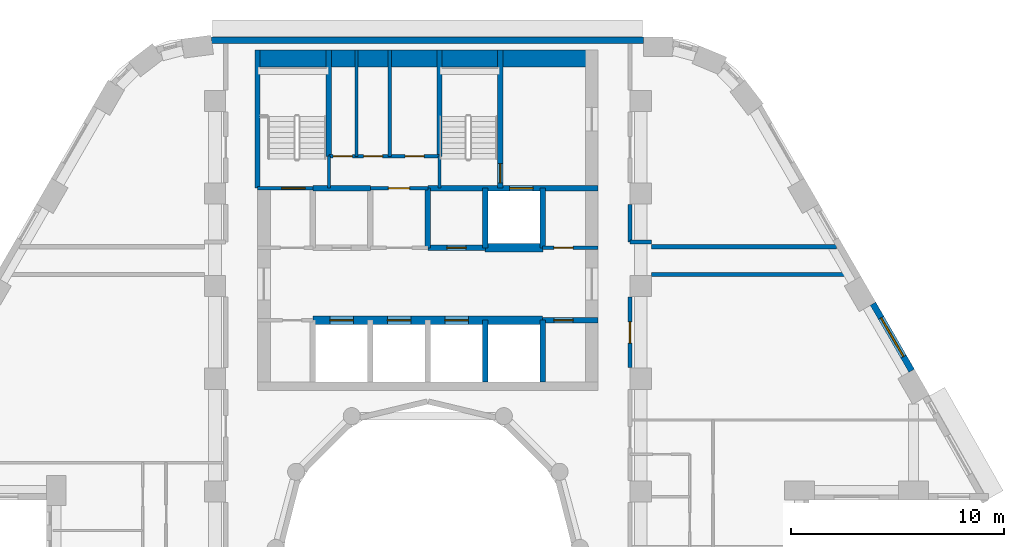
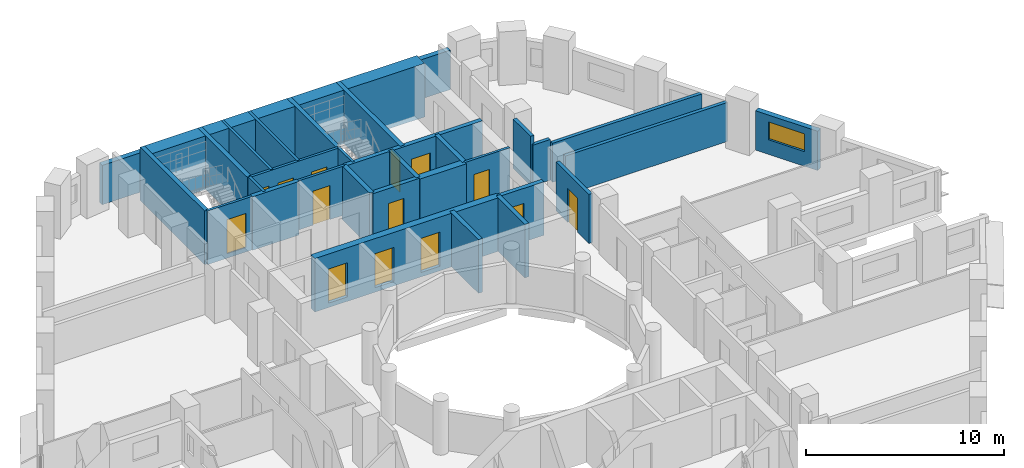
# One storey, part 8 of 12: 31 walls, 14 doors, 1 window, 15 openings.
"""IFC4 building model written with IfcOpenShell, lengths in metres."""

from ifc_helpers import new_model, si_unit, direction, frame, frame_2d, origin, place, context, subcontext, project, spatial, rectangle, extrude, material, layer, layer_set, type_object, element, fill, save


model = new_model("IFC4")

# Units and contexts
model_context = context("Model", 3, precision=1e-05, world=origin(), true_north=direction((0.0, 1.0)))
body_context = subcontext(model_context, "Body", "Model", "MODEL_VIEW")
ifc_project = project(units=[si_unit("LENGTHUNIT", "METRE"), si_unit("AREAUNIT", "SQUARE_METRE"), si_unit("VOLUMEUNIT", "CUBIC_METRE"), si_unit("PLANEANGLEUNIT", "RADIAN"), si_unit("MASSUNIT", "GRAM", prefix="KILO")], contexts=[model_context])

# Site, building, storey
site_placement = place(None, origin())
site = spatial("IfcSite", under=ifc_project, at=site_placement, CompositionType="ELEMENT")
building_placement = place(site_placement, origin())
building = spatial("IfcBuilding", under=site, at=building_placement, Name="Nakaniwa Court", CompositionType="ELEMENT")
storey_placement = place(building_placement, frame((0.0, 0.0, 87.60009765625)))
storey = spatial("IfcBuildingStorey", under=building, at=storey_placement, Name="L22", CompositionType="ELEMENT", Elevation=87.60009765625)

# Wall, opening, door
ifc_material_1 = material(Name="Acoustic double stud partition")
ifc_layer_1 = layer(ifc_material_1, 0.199951171875)
ifc_layer_set_1 = layer_set([ifc_layer_1], Name="Acoustic double stud partition")
wall_type_1 = type_object("IfcWallType", Name="Acoustic double stud partition 200", PredefinedType="PARTITIONING", material=ifc_layer_set_1)
wall_1_placement = place(storey_placement, frame((89.5, 91.782958984375, 0.0), z_axis=(0.0, 0.0, 1.0), x_axis=(0.0, -1.0, 0.0)))
wall_1 = element("IfcWall", 1, at=wall_1_placement, inside=storey, type_object=wall_type_1, Name="Partition PW-077", PredefinedType="PARTITIONING", context=body_context, shape_type="SweptSolid", body=[
    extrude(rectangle(XDim=3.31591796875, YDim=0.199951171875, at=frame_2d((1.657958984375, 0.0))), origin(), (0.0, 0.0, 1.0), 3.02490234375),
])
opening_1_placement = place(wall_1_placement, frame((1.157958984375, 0.0, 0.0)))
opening_1 = element("IfcOpeningElement", 2, at=opening_1_placement, cuts=wall_1, Name="Opening D-02-03", PredefinedType="OPENING", context=body_context, shape_type="SweptSolid", body=[
    extrude(rectangle(XDim=1.0, YDim=2.10009765625, at=frame_2d((0.5, 1.050048828125))), frame((0.0, 0.10986328125, 0.0), z_axis=(0.0, -1.0, 0.0), x_axis=(1.0, 0.0, 0.0)), (0.0, 0.0, 1.0), 0.219970703125),
])
ifc_material_2 = material(Name="Solid core timber door set, black veneer", Category="wood")
door_type_1 = type_object("IfcDoorType", Name="Internal door 1000", OperationType="NOTDEFINED", PredefinedType="DOOR", material=ifc_material_2)
door_1_placement = place(opening_1_placement, origin())
door_1 = element("IfcDoor", 3, at=door_1_placement, inside=storey, type_object=door_type_1, Name="Door D-02-03 L22-037", OperationType="SINGLE_SWING_RIGHT", OverallHeight=2.10009765625, OverallWidth=1.0, PredefinedType="DOOR", context=body_context, shape_type="SweptSolid", body=[
    extrude(rectangle(XDim=1.0, YDim=2.10009765625, at=frame_2d((0.5, 1.050048828125))), frame((0.0, 0.02490234375, 0.0), z_axis=(0.0, -1.0, 0.0), x_axis=(1.0, 0.0, 0.0)), (0.0, 0.0, 1.0), 0.050048828125),
])
fill(opening_1, door_1)

# Walls
wall_2_placement = place(storey_placement, frame((89.5, 94.3720703125, 0.0), z_axis=(0.0, 0.0, 1.0), x_axis=(0.0, 1.0, 0.0)))
element("IfcWall", 4, at=wall_2_placement, inside=storey, type_object=wall_type_1, Name="Partition PW-078", PredefinedType="PARTITIONING", context=body_context, shape_type="SweptSolid", body=[
    extrude(rectangle(XDim=1.760986328125, YDim=0.199951171875, at=frame_2d((0.88037109375, 0.0))), origin(), (0.0, 0.0, 1.0), 3.02490234375),
])
wall_3_placement = place(storey_placement, frame((90.5, 92.85009765625, 0.0), z_axis=(0.0, 0.0, 1.0), x_axis=(1.0, 0.0, 0.0)))
element("IfcWall", 5, at=wall_3_placement, inside=storey, type_object=wall_type_1, Name="Partition PW-082", PredefinedType="PARTITIONING", context=body_context, shape_type="SweptSolid", body=[
    extrude(rectangle(XDim=9.447509765625, YDim=0.199951171875, at=frame_2d((4.7236328125, 0.0))), origin(), (0.0, 0.0, 1.0), 2.40478515625),
])
wall_4_placement = place(storey_placement, frame((89.5, 94.375, 0.0), z_axis=(0.0, 0.0, 1.0), x_axis=(1.0, 0.0, 0.0)))
element("IfcWall", 6, at=wall_4_placement, inside=storey, type_object=wall_type_1, Name="Partition PW-084", PredefinedType="PARTITIONING", context=body_context, shape_type="SweptSolid", body=[
    extrude(rectangle(XDim=1.0, YDim=0.199951171875, at=frame_2d((0.5, 0.0))), origin(), (0.0, 0.0, 1.0), 2.5048828125),
])
wall_5_placement = place(storey_placement, frame((90.5, 94.14990234375, 0.0), z_axis=(0.0, 0.0, 1.0), x_axis=(1.0, 0.0, 0.0)))
element("IfcWall", 7, at=wall_5_placement, inside=storey, type_object=wall_type_1, Name="Partition PW-086", PredefinedType="PARTITIONING", context=body_context, shape_type="SweptSolid", body=[
    extrude(rectangle(XDim=8.697021484375, YDim=0.199951171875, at=frame_2d((4.3486328125, 0.0))), origin(), (0.0, 0.0, 1.0), 2.40478515625),
])

# Wall, opening, window
ifc_material_3 = material(Name="Charcoal ceramic cladding")
ifc_layer_2 = layer(ifc_material_3, 0.02, Name="Ceramic cladding")
ifc_material_4 = material(Name="Ventilated air cavity")
ifc_layer_3 = layer(ifc_material_4, 0.04, ventilated=True, Name="Ventilated cavity")
ifc_material_5 = material(Name="Mineral wool insulation")
ifc_layer_4 = layer(ifc_material_5, 0.1, Name="Insulation")
ifc_material_6 = material(Name="Cement bonded sheathing board")
ifc_layer_5 = layer(ifc_material_6, 0.012, Name="Sheathing")
ifc_material_7 = material(Name="Cold-formed galvanised stud frame with mineral wool infill")
ifc_layer_6 = layer(ifc_material_7, 0.1, Name="Stud frame")
ifc_material_8 = material(Name="Fire-rated gypsum plasterboard lining")
ifc_layer_7 = layer(ifc_material_8, 0.028, Name="Lining")
ifc_layer_set_2 = layer_set([ifc_layer_2, ifc_layer_3, ifc_layer_4, ifc_layer_5, ifc_layer_6, ifc_layer_7], Name="Charcoal ceramic faced external wall system")
wall_type_2 = type_object("IfcWallType", Name="Black ceramic faced external wall 300", PredefinedType="SOLIDWALL", material=ifc_layer_set_2)
wall_6_placement = place(storey_placement, frame((102.734619140625, 88.322509765625, 0.0), z_axis=(0.0, 0.0, 1.0), x_axis=(-0.500009139881, 0.866020126807, 0.0)))
wall_6 = element("IfcWall", 8, at=wall_6_placement, inside=storey, type_object=wall_type_2, Name="L22 external wall 03", PredefinedType="SOLIDWALL", context=body_context, shape_type="SweptSolid", body=[
    extrude(rectangle(XDim=3.63671875, YDim=0.300048828125, at=frame_2d((1.818359375, 0.0))), origin(), (0.0, 0.0, 1.0), 2.4248046875),
])
opening_2_placement = place(wall_6_placement, frame((0.768310546875, 0.0, 0.89990234375)))
opening_2 = element("IfcOpeningElement", 9, at=opening_2_placement, cuts=wall_6, Name="Opening W7.05", PredefinedType="OPENING", context=body_context, shape_type="SweptSolid", body=[
    extrude(rectangle(XDim=2.10009765625, YDim=1.10009765625, at=frame_2d((1.050048828125, 0.550048828125))), frame((0.0, 0.159912109375, 0.0), z_axis=(0.0, -1.0, 0.0), x_axis=(1.0, 0.0, 0.0)), (0.0, 0.0, 1.0), 0.320068359375),
])
ifc_material_9 = material(Name="Black anodised aluminium frame with dark low-E laminated double glazing", Category="aluminium")
window_type = type_object("IfcWindowType", Name="Dark glass window 2100x1100 sill 900", PartitioningType="SINGLE_PANEL", PredefinedType="WINDOW", material=ifc_material_9)
window_placement = place(opening_2_placement, origin())
window = element("IfcWindow", 10, at=window_placement, inside=storey, type_object=window_type, Name="L22 habitable room window 03-0", OverallHeight=1.10009765625, OverallWidth=2.10009765625, PartitioningType="SINGLE_PANEL", PredefinedType="WINDOW", context=body_context, shape_type="SweptSolid", body=[
    extrude(rectangle(XDim=2.10009765625, YDim=1.10009765625, at=frame_2d((1.050048828125, 0.550048828125))), frame((0.0, 0.030029296875, 0.0), z_axis=(0.0, -1.0, 0.0), x_axis=(1.0, 0.0, 0.0)), (0.0, 0.0, 1.0), 0.06005859375),
])
fill(opening_2, window)

# Wall
wall_7_placement = place(storey_placement, frame((90.128662109375, 103.85009765625, 0.0), z_axis=(0.0, 0.0, 1.0), x_axis=(-1.0, 0.0, 0.0)))
element("IfcWall", 11, at=wall_7_placement, inside=storey, type_object=wall_type_2, Name="L22 external wall 08", PredefinedType="SOLIDWALL", context=body_context, shape_type="SweptSolid", body=[
    extrude(rectangle(XDim=20.290771484375, YDim=0.300048828125, at=frame_2d((10.1455078125, 0.0))), origin(), (0.0, 0.0, 1.0), 2.4248046875),
])

# Wall, opening, door
ifc_material_10 = material(Name="Blockwork partition", Category="masonry")
ifc_layer_8 = layer(ifc_material_10, 0.14990234375)
ifc_layer_set_3 = layer_set([ifc_layer_8], Name="Blockwork partition")
wall_type_3 = type_object("IfcWallType", Name="Blockwork partition 150", PredefinedType="PARTITIONING", material=ifc_layer_set_3)
wall_8_placement = place(storey_placement, frame((85.39697265625, 94.10009765625, 0.0), z_axis=(0.0, 0.0, 1.0), x_axis=(1.0, 0.0, 0.0)))
wall_8 = element("IfcWall", 12, at=wall_8_placement, inside=storey, type_object=wall_type_3, Name="Partition PW-018", PredefinedType="PARTITIONING", context=body_context, shape_type="SweptSolid", body=[
    extrude(rectangle(XDim=2.60302734375, YDim=0.14990234375, at=frame_2d((1.301513671875, 0.0))), origin(), (0.0, 0.0, 1.0), 3.02490234375),
])
opening_3_placement = place(wall_8_placement, frame((0.528076171875, 0.0, 0.0)))
opening_3 = element("IfcOpeningElement", 13, at=opening_3_placement, cuts=wall_8, Name="Opening D-05-05", PredefinedType="OPENING", context=body_context, shape_type="SweptSolid", body=[
    extrude(rectangle(XDim=0.89990234375, YDim=2.10009765625, at=frame_2d((0.449951171875, 1.050048828125))), frame((0.0, 0.0849609375, 0.0), z_axis=(0.0, -1.0, 0.0), x_axis=(1.0, 0.0, 0.0)), (0.0, 0.0, 1.0), 0.169921875),
])
ifc_material_11 = material(Name="Fire rated steel door set", Category="steel")
door_type_2 = type_object("IfcDoorType", Name="Service room door 900", OperationType="NOTDEFINED", PredefinedType="DOOR", material=ifc_material_11)
door_2_placement = place(opening_3_placement, origin())
door_2 = element("IfcDoor", 14, at=door_2_placement, inside=storey, type_object=door_type_2, Name="Door D-05-05 L22-007", OperationType="SINGLE_SWING_RIGHT", OverallHeight=2.10009765625, OverallWidth=0.89990234375, PredefinedType="DOOR", context=body_context, shape_type="SweptSolid", body=[
    extrude(rectangle(XDim=0.89990234375, YDim=2.10009765625, at=frame_2d((0.449951171875, 1.050048828125))), frame((0.0, 0.02490234375, 0.0), z_axis=(0.0, -1.0, 0.0), x_axis=(1.0, 0.0, 0.0)), (0.0, 0.0, 1.0), 0.050048828125),
])
fill(opening_3, door_2)

wall_9_placement = place(storey_placement, frame((77.300048828125, 96.89990234375, 0.0), z_axis=(0.0, 0.0, 1.0), x_axis=(1.0, 0.0, 0.0)))
wall_9 = element("IfcWall", 15, at=wall_9_placement, inside=storey, type_object=wall_type_3, Name="Partition PW-025", PredefinedType="PARTITIONING", context=body_context, shape_type="SweptSolid", body=[
    extrude(rectangle(XDim=2.699951171875, YDim=0.14990234375, at=frame_2d((1.35009765625, 0.0))), origin(), (0.0, 0.0, 1.0), 3.02490234375),
])
opening_4_placement = place(wall_9_placement, frame((0.85009765625, 0.0, 0.0)))
opening_4 = element("IfcOpeningElement", 16, at=opening_4_placement, cuts=wall_9, Name="Opening D-23-01", PredefinedType="OPENING", context=body_context, shape_type="SweptSolid", body=[
    extrude(rectangle(XDim=1.0, YDim=2.10009765625, at=frame_2d((0.5, 1.050048828125))), frame((0.0, 0.0849609375, 0.0), z_axis=(0.0, -1.0, 0.0), x_axis=(1.0, 0.0, 0.0)), (0.0, 0.0, 1.0), 0.169921875),
])
door_type_3 = type_object("IfcDoorType", Name="Service room door 1000", OperationType="NOTDEFINED", PredefinedType="DOOR", material=ifc_material_11)
door_3_placement = place(opening_4_placement, origin())
door_3 = element("IfcDoor", 17, at=door_3_placement, inside=storey, type_object=door_type_3, Name="Door D-23-01 L22-008", OperationType="SINGLE_SWING_LEFT", OverallHeight=2.10009765625, OverallWidth=1.0, PredefinedType="DOOR", context=body_context, shape_type="SweptSolid", body=[
    extrude(rectangle(XDim=1.0, YDim=2.10009765625, at=frame_2d((0.5, 1.050048828125))), frame((0.0, 0.02490234375, 0.0), z_axis=(0.0, -1.0, 0.0), x_axis=(1.0, 0.0, 0.0)), (0.0, 0.0, 1.0), 0.050048828125),
])
fill(opening_4, door_3)

# Wall, openings, doors
wall_10_placement = place(storey_placement, frame((75.35009765625, 98.39990234375, 0.0), z_axis=(0.0, 0.0, 1.0), x_axis=(1.0, 0.0, 0.0)))
wall_10 = element("IfcWall", 18, at=wall_10_placement, inside=storey, type_object=wall_type_3, Name="Partition PW-032", PredefinedType="PARTITIONING", context=body_context, shape_type="SweptSolid", body=[
    extrude(rectangle(XDim=5.199951171875, YDim=0.14990234375, at=frame_2d((2.60009765625, 0.0))), origin(), (0.0, 0.0, 1.0), 3.02490234375),
])
opening_5_placement = place(wall_10_placement, frame((0.199951171875, 0.0, 0.0)))
opening_5 = element("IfcOpeningElement", 19, at=opening_5_placement, cuts=wall_10, Name="Opening D-05-06", PredefinedType="OPENING", context=body_context, shape_type="SweptSolid", body=[
    extrude(rectangle(XDim=0.89990234375, YDim=2.10009765625, at=frame_2d((0.449951171875, 1.050048828125))), frame((0.0, 0.0849609375, 0.0), z_axis=(0.0, -1.0, 0.0), x_axis=(1.0, 0.0, 0.0)), (0.0, 0.0, 1.0), 0.169921875),
])
opening_6_placement = place(wall_10_placement, frame((1.6298828125, 0.0, 0.0)))
opening_6 = element("IfcOpeningElement", 20, at=opening_6_placement, cuts=wall_10, Name="Opening D-05-07", PredefinedType="OPENING", context=body_context, shape_type="SweptSolid", body=[
    extrude(rectangle(XDim=0.89990234375, YDim=2.10009765625, at=frame_2d((0.449951171875, 1.050048828125))), frame((0.0, 0.0849609375, 0.0), z_axis=(0.0, -1.0, 0.0), x_axis=(1.0, 0.0, 0.0)), (0.0, 0.0, 1.0), 0.169921875),
])
opening_7_placement = place(wall_10_placement, frame((3.580078125, 0.0, 0.0)))
opening_7 = element("IfcOpeningElement", 21, at=opening_7_placement, cuts=wall_10, Name="Opening D-05-08", PredefinedType="OPENING", context=body_context, shape_type="SweptSolid", body=[
    extrude(rectangle(XDim=0.89990234375, YDim=2.10009765625, at=frame_2d((0.449951171875, 1.050048828125))), frame((0.0, 0.0849609375, 0.0), z_axis=(0.0, -1.0, 0.0), x_axis=(1.0, 0.0, 0.0)), (0.0, 0.0, 1.0), 0.169921875),
])
door_4_placement = place(opening_5_placement, origin())
door_4 = element("IfcDoor", 22, at=door_4_placement, inside=storey, type_object=door_type_2, Name="Door D-05-06 L22-009", OperationType="SINGLE_SWING_RIGHT", OverallHeight=2.10009765625, OverallWidth=0.89990234375, PredefinedType="DOOR", context=body_context, shape_type="SweptSolid", body=[
    extrude(rectangle(XDim=0.89990234375, YDim=2.10009765625, at=frame_2d((0.449951171875, 1.050048828125))), frame((0.0, 0.02490234375, 0.0), z_axis=(0.0, -1.0, 0.0), x_axis=(1.0, 0.0, 0.0)), (0.0, 0.0, 1.0), 0.050048828125),
])
fill(opening_5, door_4)
door_5_placement = place(opening_6_placement, origin())
door_5 = element("IfcDoor", 23, at=door_5_placement, inside=storey, type_object=door_type_2, Name="Door D-05-07 L22-010", OperationType="SINGLE_SWING_LEFT", OverallHeight=2.10009765625, OverallWidth=0.89990234375, PredefinedType="DOOR", context=body_context, shape_type="SweptSolid", body=[
    extrude(rectangle(XDim=0.89990234375, YDim=2.10009765625, at=frame_2d((0.449951171875, 1.050048828125))), frame((0.0, 0.02490234375, 0.0), z_axis=(0.0, -1.0, 0.0), x_axis=(1.0, 0.0, 0.0)), (0.0, 0.0, 1.0), 0.050048828125),
])
fill(opening_6, door_5)
door_6_placement = place(opening_7_placement, origin())
door_6 = element("IfcDoor", 24, at=door_6_placement, inside=storey, type_object=door_type_2, Name="Door D-05-08 L22-011", OperationType="SINGLE_SWING_RIGHT", OverallHeight=2.10009765625, OverallWidth=0.89990234375, PredefinedType="DOOR", context=body_context, shape_type="SweptSolid", body=[
    extrude(rectangle(XDim=0.89990234375, YDim=2.10009765625, at=frame_2d((0.449951171875, 1.050048828125))), frame((0.0, 0.02490234375, 0.0), z_axis=(0.0, -1.0, 0.0), x_axis=(1.0, 0.0, 0.0)), (0.0, 0.0, 1.0), 0.050048828125),
])
fill(opening_7, door_6)

# Walls
for number, where, z_axis, x_axis, name in (
    (25, (76.64990234375, 98.39990234375, 0.0), (0.0, 0.0, 1.0), (0.0, 1.0, 0.0), "Partition PW-033"),
    (26, (78.2099609375, 98.39990234375, 0.0), (0.0, 0.0, 1.0), (0.0, 1.0, 0.0), "Partition PW-034"),
):
    element("IfcWall", number, at=place(storey_placement, frame(where, z_axis=z_axis, x_axis=x_axis)), inside=storey, type_object=wall_type_3, Name=name, PredefinedType="PARTITIONING", context=body_context, shape_type="SweptSolid", body=[
        extrude(rectangle(XDim=5.0, YDim=0.14990234375, at=frame_2d((2.5, 0.0))), origin(), (0.0, 0.0, 1.0), 3.02490234375),
    ])

# Wall, openings, doors
ifc_material_12 = material(Name="Concrete C80/100", Category="concrete")
ifc_layer_9 = layer(ifc_material_12, 0.39990234375)
ifc_layer_set_4 = layer_set([ifc_layer_9], Name="Concrete C80/100")
wall_type_4 = type_object("IfcWallType", Name="Concrete core spine wall 400 C80", PredefinedType="SHEAR", material=ifc_layer_set_4)
wall_11_placement = place(storey_placement, frame((74.60009765625, 90.699951171875, -0.275146484375), z_axis=(0.0, 0.0, 1.0), x_axis=(1.0, 0.0, 0.0)))
wall_11 = element("IfcWall", 27, at=wall_11_placement, inside=storey, type_object=wall_type_4, Name="Core wall SW-07", PredefinedType="SHEAR", context=body_context, shape_type="SweptSolid", body=[
    extrude(rectangle(XDim=10.7998046875, YDim=0.39990234375, at=frame_2d((5.39990234375, 0.0))), origin(), (0.0, 0.0, 1.0), 3.300048828125),
])
opening_8_placement = place(wall_11_placement, frame((0.800048828125, 0.0, 0.27490234375)))
opening_8 = element("IfcOpeningElement", 28, at=opening_8_placement, cuts=wall_11, Name="Opening LD01", PredefinedType="OPENING", context=body_context, shape_type="SweptSolid", body=[
    extrude(rectangle(XDim=1.10009765625, YDim=2.10009765625, at=frame_2d((0.550048828125, 1.050048828125))), frame((0.0, 0.2099609375, 0.0), z_axis=(0.0, -1.0, 0.0), x_axis=(1.0, 0.0, 0.0)), (0.0, 0.0, 1.0), 0.419921875),
])
opening_9_placement = place(wall_11_placement, frame((3.5, 0.0, 0.27490234375)))
opening_9 = element("IfcOpeningElement", 29, at=opening_9_placement, cuts=wall_11, Name="Opening LD02", PredefinedType="OPENING", context=body_context, shape_type="SweptSolid", body=[
    extrude(rectangle(XDim=1.10009765625, YDim=2.10009765625, at=frame_2d((0.550048828125, 1.050048828125))), frame((0.0, 0.2099609375, 0.0), z_axis=(0.0, -1.0, 0.0), x_axis=(1.0, 0.0, 0.0)), (0.0, 0.0, 1.0), 0.419921875),
])
opening_10_placement = place(wall_11_placement, frame((6.199951171875, 0.0, 0.27490234375)))
opening_10 = element("IfcOpeningElement", 30, at=opening_10_placement, cuts=wall_11, Name="Opening LD03", PredefinedType="OPENING", context=body_context, shape_type="SweptSolid", body=[
    extrude(rectangle(XDim=1.10009765625, YDim=2.10009765625, at=frame_2d((0.550048828125, 1.050048828125))), frame((0.0, 0.2099609375, 0.0), z_axis=(0.0, -1.0, 0.0), x_axis=(1.0, 0.0, 0.0)), (0.0, 0.0, 1.0), 0.419921875),
])
ifc_material_13 = material(Name="Stainless steel sliding lift landing door", Category="steel")
door_type_4 = type_object("IfcDoorType", Name="Lift landing door 1100", OperationType="NOTDEFINED", PredefinedType="DOOR", material=ifc_material_13)
door_7_placement = place(opening_8_placement, origin())
door_7 = element("IfcDoor", 31, at=door_7_placement, inside=storey, type_object=door_type_4, Name="Lift landing door LD01 L22-001", OperationType="SLIDING_TO_LEFT", OverallHeight=2.10009765625, OverallWidth=1.10009765625, PredefinedType="DOOR", context=body_context, shape_type="SweptSolid", body=[
    extrude(rectangle(XDim=1.10009765625, YDim=2.10009765625, at=frame_2d((0.550048828125, 1.050048828125))), frame((0.0, 0.02490234375, 0.0), z_axis=(0.0, -1.0, 0.0), x_axis=(1.0, 0.0, 0.0)), (0.0, 0.0, 1.0), 0.050048828125),
])
fill(opening_8, door_7)
door_8_placement = place(opening_9_placement, origin())
door_8 = element("IfcDoor", 32, at=door_8_placement, inside=storey, type_object=door_type_4, Name="Lift landing door LD02 L22-002", OperationType="SLIDING_TO_LEFT", OverallHeight=2.10009765625, OverallWidth=1.10009765625, PredefinedType="DOOR", context=body_context, shape_type="SweptSolid", body=[
    extrude(rectangle(XDim=1.10009765625, YDim=2.10009765625, at=frame_2d((0.550048828125, 1.050048828125))), frame((0.0, 0.02490234375, 0.0), z_axis=(0.0, -1.0, 0.0), x_axis=(1.0, 0.0, 0.0)), (0.0, 0.0, 1.0), 0.050048828125),
])
fill(opening_9, door_8)
door_9_placement = place(opening_10_placement, origin())
door_9 = element("IfcDoor", 33, at=door_9_placement, inside=storey, type_object=door_type_4, Name="Lift landing door LD03 L22-003", OperationType="SLIDING_TO_LEFT", OverallHeight=2.10009765625, OverallWidth=1.10009765625, PredefinedType="DOOR", context=body_context, shape_type="SweptSolid", body=[
    extrude(rectangle(XDim=1.10009765625, YDim=2.10009765625, at=frame_2d((0.550048828125, 1.050048828125))), frame((0.0, 0.02490234375, 0.0), z_axis=(0.0, -1.0, 0.0), x_axis=(1.0, 0.0, 0.0)), (0.0, 0.0, 1.0), 0.050048828125),
])
fill(opening_10, door_9)

# Wall
wall_12_placement = place(storey_placement, frame((82.697021484375, 94.10009765625, -0.275146484375), z_axis=(0.0, 0.0, 1.0), x_axis=(1.0, 0.0, 0.0)))
element("IfcWall", 34, at=wall_12_placement, inside=storey, type_object=wall_type_4, Name="Core wall SW-21", PredefinedType="SHEAR", context=body_context, shape_type="SweptSolid", body=[
    extrude(rectangle(XDim=2.7060546875, YDim=0.39990234375, at=frame_2d((1.35302734375, 0.0))), origin(), (0.0, 0.0, 1.0), 3.300048828125),
])

# Wall, opening, door
ifc_layer_10 = layer(ifc_material_12, 0.14990234375)
ifc_layer_set_5 = layer_set([ifc_layer_10], Name="Concrete C80/100")
wall_type_5 = type_object("IfcWallType", Name="Concrete core wall 150 C80", PredefinedType="SHEAR", material=ifc_layer_set_5)
wall_13_placement = place(storey_placement, frame((74.60009765625, 96.89990234375, -0.275146484375), z_axis=(0.0, 0.0, 1.0), x_axis=(-1.0, 0.0, 0.0)))
wall_13 = element("IfcWall", 35, at=wall_13_placement, inside=storey, type_object=wall_type_5, Name="Core wall SW-22", PredefinedType="SHEAR", context=body_context, shape_type="SweptSolid", body=[
    extrude(rectangle(XDim=2.60009765625, YDim=0.14990234375, at=frame_2d((1.300048828125, 0.0))), origin(), (0.0, 0.0, 1.0), 3.300048828125),
])
opening_11_placement = place(wall_13_placement, frame((0.3701171875, 0.0, 0.27490234375)))
opening_11 = element("IfcOpeningElement", 36, at=opening_11_placement, cuts=wall_13, Name="Opening D-09-01", PredefinedType="OPENING", context=body_context, shape_type="SweptSolid", body=[
    extrude(rectangle(XDim=1.10009765625, YDim=2.10009765625, at=frame_2d((0.550048828125, 1.050048828125))), frame((0.0, 0.0849609375, 0.0), z_axis=(0.0, -1.0, 0.0), x_axis=(1.0, 0.0, 0.0)), (0.0, 0.0, 1.0), 0.169921875),
])
door_type_5 = type_object("IfcDoorType", Name="Stair door 1100", OperationType="NOTDEFINED", PredefinedType="DOOR", material=ifc_material_11)
door_10_placement = place(opening_11_placement, origin())
door_10 = element("IfcDoor", 37, at=door_10_placement, inside=storey, type_object=door_type_5, Name="Door D-09-01 L22-012", OperationType="SINGLE_SWING_RIGHT", OverallHeight=2.10009765625, OverallWidth=1.10009765625, PredefinedType="DOOR", context=body_context, shape_type="SweptSolid", body=[
    extrude(rectangle(XDim=1.10009765625, YDim=2.10009765625, at=frame_2d((0.550048828125, 1.050048828125))), frame((0.0, 0.02490234375, 0.0), z_axis=(0.0, -1.0, 0.0), x_axis=(1.0, 0.0, 0.0)), (0.0, 0.0, 1.0), 0.050048828125),
])
fill(opening_11, door_10)

# Walls
for number, where, z_axis, x_axis, name in (
    (38, (75.35009765625, 96.89990234375, -0.275146484375), (0.0, 0.0, 1.0), (0.0, 1.0, 0.0), "Core wall SW-26"),
    (39, (80.550048828125, 96.89990234375, -0.275146484375), (0.0, 0.0, 1.0), (0.0, 1.0, 0.0), "Core wall SW-30"),
):
    element("IfcWall", number, at=place(storey_placement, frame(where, z_axis=z_axis, x_axis=x_axis)), inside=storey, type_object=wall_type_5, Name=name, PredefinedType="SHEAR", context=body_context, shape_type="SweptSolid", body=[
        extrude(rectangle(XDim=1.503173828125, YDim=0.14990234375, at=frame_2d((0.75146484375, 0.0))), origin(), (0.0, 0.0, 1.0), 3.300048828125),
    ])
ifc_layer_11 = layer(ifc_material_12, 0.25)
ifc_layer_set_6 = layer_set([ifc_layer_11], Name="Concrete C80/100")
wall_type_6 = type_object("IfcWallType", Name="Concrete core wall 250 C80", PredefinedType="SHEAR", material=ifc_layer_set_6)
wall_14_placement = place(storey_placement, frame((72.0, 96.89990234375, -0.275146484375), z_axis=(0.0, 0.0, 1.0), x_axis=(0.0, 1.0, 0.0)))
element("IfcWall", 40, at=wall_14_placement, inside=storey, type_object=wall_type_6, Name="Core wall SW-28", PredefinedType="SHEAR", context=body_context, shape_type="SweptSolid", body=[
    extrude(rectangle(XDim=6.5, YDim=0.25, at=frame_2d((3.25, 0.0))), origin(), (0.0, 0.0, 1.0), 3.300048828125),
])
ifc_layer_12 = layer(ifc_material_12, 0.800048828125)
ifc_layer_set_7 = layer_set([ifc_layer_12], Name="Concrete C80/100")
wall_type_7 = type_object("IfcWallType", Name="Concrete core wall 800 C80", PredefinedType="SHEAR", material=ifc_layer_set_7)
wall_15_placement = place(storey_placement, frame((72.00390625, 103.0, -0.275146484375), z_axis=(0.0, 0.0, 1.0), x_axis=(1.0, 0.0, 0.0)))
element("IfcWall", 41, at=wall_15_placement, inside=storey, type_object=wall_type_7, Name="Core wall SW-127", PredefinedType="SHEAR", context=body_context, shape_type="SweptSolid", body=[
    extrude(rectangle(XDim=15.9921875, YDim=0.800048828125, at=frame_2d((7.99609375, 0.0))), origin(), (0.0, 0.0, 1.0), 3.300048828125),
])
ifc_layer_13 = layer(ifc_material_12, 0.25)
ifc_layer_set_8 = layer_set([ifc_layer_13], Name="Concrete C80/100")
wall_type_8 = type_object("IfcWallType", Name="Concrete shaft wall 250 C80", PredefinedType="SHEAR", material=ifc_layer_set_8)
wall_16_placement = place(storey_placement, frame((80.0, 94.10009765625, -0.275146484375), z_axis=(0.0, 0.0, 1.0), x_axis=(0.0, 1.0, 0.0)))
element("IfcWall", 42, at=wall_16_placement, inside=storey, type_object=wall_type_8, Name="Core wall SW-09", PredefinedType="SHEAR", context=body_context, shape_type="SweptSolid", body=[
    extrude(rectangle(XDim=2.7998046875, YDim=0.25, at=frame_2d((1.39990234375, 0.0))), origin(), (0.0, 0.0, 1.0), 3.300048828125),
])
wall_17_placement = place(storey_placement, frame((82.699951171875, 87.800048828125, -0.275146484375), z_axis=(0.0, 0.0, 1.0), x_axis=(0.0, 1.0, 0.0)))
element("IfcWall", 43, at=wall_17_placement, inside=storey, type_object=wall_type_8, Name="Core wall SW-10", PredefinedType="SHEAR", context=body_context, shape_type="SweptSolid", body=[
    extrude(rectangle(XDim=2.89990234375, YDim=0.25, at=frame_2d((1.449951171875, 0.0))), origin(), (0.0, 0.0, 1.0), 3.300048828125),
])
wall_18_placement = place(storey_placement, frame((82.699951171875, 94.10009765625, -0.275146484375), z_axis=(0.0, 0.0, 1.0), x_axis=(0.0, 1.0, 0.0)))
element("IfcWall", 44, at=wall_18_placement, inside=storey, type_object=wall_type_8, Name="Core wall SW-11", PredefinedType="SHEAR", context=body_context, shape_type="SweptSolid", body=[
    extrude(rectangle(XDim=2.7998046875, YDim=0.25, at=frame_2d((1.39990234375, 0.0))), origin(), (0.0, 0.0, 1.0), 3.300048828125),
])
wall_19_placement = place(storey_placement, frame((85.39990234375, 87.800048828125, -0.275146484375), z_axis=(0.0, 0.0, 1.0), x_axis=(0.0, 1.0, 0.0)))
element("IfcWall", 45, at=wall_19_placement, inside=storey, type_object=wall_type_8, Name="Core wall SW-12", PredefinedType="SHEAR", context=body_context, shape_type="SweptSolid", body=[
    extrude(rectangle(XDim=2.89990234375, YDim=0.25, at=frame_2d((1.449951171875, 0.0))), origin(), (0.0, 0.0, 1.0), 3.300048828125),
])
wall_20_placement = place(storey_placement, frame((85.39990234375, 94.10009765625, -0.275146484375), z_axis=(0.0, 0.0, 1.0), x_axis=(0.0, 1.0, 0.0)))
element("IfcWall", 46, at=wall_20_placement, inside=storey, type_object=wall_type_8, Name="Core wall SW-13", PredefinedType="SHEAR", context=body_context, shape_type="SweptSolid", body=[
    extrude(rectangle(XDim=2.7998046875, YDim=0.25, at=frame_2d((1.39990234375, 0.0))), origin(), (0.0, 0.0, 1.0), 3.300048828125),
])

# Wall, opening, door
wall_21_placement = place(storey_placement, frame((88.0, 90.699951171875, -0.275146484375), z_axis=(0.0, 0.0, 1.0), x_axis=(-1.0, 0.0, 0.0)))
wall_21 = element("IfcWall", 47, at=wall_21_placement, inside=storey, type_object=wall_type_8, Name="Core wall SW-14", PredefinedType="SHEAR", context=body_context, shape_type="SweptSolid", body=[
    extrude(rectangle(XDim=2.60009765625, YDim=0.25, at=frame_2d((1.300048828125, 0.0))), origin(), (0.0, 0.0, 1.0), 3.300048828125),
])
opening_12_placement = place(wall_21_placement, frame((1.175048828125, 0.0, 0.27490234375)))
opening_12 = element("IfcOpeningElement", 48, at=opening_12_placement, cuts=wall_21, Name="Opening D-05-02", PredefinedType="OPENING", context=body_context, shape_type="SweptSolid", body=[
    extrude(rectangle(XDim=0.89990234375, YDim=2.10009765625, at=frame_2d((0.449951171875, 1.050048828125))), frame((0.0, 0.135009765625, 0.0), z_axis=(0.0, -1.0, 0.0), x_axis=(1.0, 0.0, 0.0)), (0.0, 0.0, 1.0), 0.27001953125),
])
door_11_placement = place(opening_12_placement, origin())
door_11 = element("IfcDoor", 49, at=door_11_placement, inside=storey, type_object=door_type_2, Name="Door D-05-02 L22-002", OperationType="SINGLE_SWING_LEFT", OverallHeight=2.10009765625, OverallWidth=0.89990234375, PredefinedType="DOOR", context=body_context, shape_type="SweptSolid", body=[
    extrude(rectangle(XDim=0.89990234375, YDim=2.10009765625, at=frame_2d((0.449951171875, 1.050048828125))), frame((0.0, 0.02490234375, 0.0), z_axis=(0.0, -1.0, 0.0), x_axis=(1.0, 0.0, 0.0)), (0.0, 0.0, 1.0), 0.050048828125),
])
fill(opening_12, door_11)

wall_22_placement = place(storey_placement, frame((79.9970703125, 94.10009765625, -0.275146484375), z_axis=(0.0, 0.0, 1.0), x_axis=(1.0, 0.0, 0.0)))
wall_22 = element("IfcWall", 50, at=wall_22_placement, inside=storey, type_object=wall_type_8, Name="Core wall SW-20", PredefinedType="SHEAR", context=body_context, shape_type="SweptSolid", body=[
    extrude(rectangle(XDim=2.705810546875, YDim=0.25, at=frame_2d((1.35302734375, 0.0))), origin(), (0.0, 0.0, 1.0), 3.300048828125),
])
opening_13_placement = place(wall_22_placement, frame((0.903076171875, 0.0, 0.27490234375)))
opening_13 = element("IfcOpeningElement", 51, at=opening_13_placement, cuts=wall_22, Name="Opening D-05-04", PredefinedType="OPENING", context=body_context, shape_type="SweptSolid", body=[
    extrude(rectangle(XDim=0.89990234375, YDim=2.10009765625, at=frame_2d((0.449951171875, 1.050048828125))), frame((0.0, 0.135009765625, 0.0), z_axis=(0.0, -1.0, 0.0), x_axis=(1.0, 0.0, 0.0)), (0.0, 0.0, 1.0), 0.27001953125),
])
door_12_placement = place(opening_13_placement, origin())
door_12 = element("IfcDoor", 52, at=door_12_placement, inside=storey, type_object=door_type_2, Name="Door D-05-04 L22-006", OperationType="SINGLE_SWING_LEFT", OverallHeight=2.10009765625, OverallWidth=0.89990234375, PredefinedType="DOOR", context=body_context, shape_type="SweptSolid", body=[
    extrude(rectangle(XDim=0.89990234375, YDim=2.10009765625, at=frame_2d((0.449951171875, 1.050048828125))), frame((0.0, 0.02490234375, 0.0), z_axis=(0.0, -1.0, 0.0), x_axis=(1.0, 0.0, 0.0)), (0.0, 0.0, 1.0), 0.050048828125),
])
fill(opening_13, door_12)

# Wall
wall_23_placement = place(storey_placement, frame((74.60009765625, 96.89990234375, -0.275146484375), z_axis=(0.0, 0.0, 1.0), x_axis=(1.0, 0.0, 0.0)))
element("IfcWall", 53, at=wall_23_placement, inside=storey, type_object=wall_type_8, Name="Core wall SW-23", PredefinedType="SHEAR", context=body_context, shape_type="SweptSolid", body=[
    extrude(rectangle(XDim=2.699951171875, YDim=0.25, at=frame_2d((1.35009765625, 0.0))), origin(), (0.0, 0.0, 1.0), 3.300048828125),
])

# Wall, opening, door
wall_24_placement = place(storey_placement, frame((80.0, 96.89990234375, -0.275146484375), z_axis=(0.0, 0.0, 1.0), x_axis=(1.0, 0.0, 0.0)))
wall_24 = element("IfcWall", 54, at=wall_24_placement, inside=storey, type_object=wall_type_8, Name="Core wall SW-24", PredefinedType="SHEAR", context=body_context, shape_type="SweptSolid", body=[
    extrude(rectangle(XDim=8.0, YDim=0.25, at=frame_2d((4.0, 0.0))), origin(), (0.0, 0.0, 1.0), 3.300048828125),
])
opening_14_placement = place(wall_24_placement, frame((3.84912109375, 0.0, 0.27490234375)))
opening_14 = element("IfcOpeningElement", 55, at=opening_14_placement, cuts=wall_24, Name="Opening LD04", PredefinedType="OPENING", context=body_context, shape_type="SweptSolid", body=[
    extrude(rectangle(XDim=1.10009765625, YDim=2.10009765625, at=frame_2d((0.550048828125, 1.050048828125))), frame((0.0, 0.135009765625, 0.0), z_axis=(0.0, -1.0, 0.0), x_axis=(1.0, 0.0, 0.0)), (0.0, 0.0, 1.0), 0.27001953125),
])
door_13_placement = place(opening_14_placement, origin())
door_13 = element("IfcDoor", 56, at=door_13_placement, inside=storey, type_object=door_type_4, Name="Lift landing door LD04 L22-004", OperationType="SLIDING_TO_LEFT", OverallHeight=2.10009765625, OverallWidth=1.10009765625, PredefinedType="DOOR", context=body_context, shape_type="SweptSolid", body=[
    extrude(rectangle(XDim=1.10009765625, YDim=2.10009765625, at=frame_2d((0.550048828125, 1.050048828125))), frame((0.0, 0.02490234375, 0.0), z_axis=(0.0, -1.0, 0.0), x_axis=(1.0, 0.0, 0.0)), (0.0, 0.0, 1.0), 0.050048828125),
])
fill(opening_14, door_13)

# Wall
wall_25_placement = place(storey_placement, frame((75.35009765625, 98.39697265625, -0.275146484375), z_axis=(0.0, 0.0, 1.0), x_axis=(0.0, 1.0, 0.0)))
element("IfcWall", 57, at=wall_25_placement, inside=storey, type_object=wall_type_8, Name="Core wall SW-27", PredefinedType="SHEAR", context=body_context, shape_type="SweptSolid", body=[
    extrude(rectangle(XDim=5.0029296875, YDim=0.25, at=frame_2d((2.50146484375, 0.0))), origin(), (0.0, 0.0, 1.0), 3.300048828125),
])

# Wall, opening, door
wall_26_placement = place(storey_placement, frame((83.39990234375, 103.39990234375, -0.275146484375), z_axis=(0.0, 0.0, 1.0), x_axis=(0.0, -1.0, 0.0)))
wall_26 = element("IfcWall", 58, at=wall_26_placement, inside=storey, type_object=wall_type_8, Name="Core wall SW-29", PredefinedType="SHEAR", context=body_context, shape_type="SweptSolid", body=[
    extrude(rectangle(XDim=6.5, YDim=0.25, at=frame_2d((3.25, 0.0))), origin(), (0.0, 0.0, 1.0), 3.300048828125),
])
opening_15_placement = place(wall_26_placement, frame((5.35009765625, 0.0, 0.27490234375)))
opening_15 = element("IfcOpeningElement", 59, at=opening_15_placement, cuts=wall_26, Name="Opening D-11-01", PredefinedType="OPENING", context=body_context, shape_type="SweptSolid", body=[
    extrude(rectangle(XDim=0.89990234375, YDim=2.10009765625, at=frame_2d((0.449951171875, 1.050048828125))), frame((0.0, 0.135009765625, 0.0), z_axis=(0.0, -1.0, 0.0), x_axis=(1.0, 0.0, 0.0)), (0.0, 0.0, 1.0), 0.27001953125),
])
door_type_6 = type_object("IfcDoorType", Name="Stair door 900", OperationType="NOTDEFINED", PredefinedType="DOOR", material=ifc_material_11)
door_14_placement = place(opening_15_placement, origin())
door_14 = element("IfcDoor", 60, at=door_14_placement, inside=storey, type_object=door_type_6, Name="Door D-11-01 L22-013", OperationType="SINGLE_SWING_LEFT", OverallHeight=2.10009765625, OverallWidth=0.89990234375, PredefinedType="DOOR", context=body_context, shape_type="SweptSolid", body=[
    extrude(rectangle(XDim=0.89990234375, YDim=2.10009765625, at=frame_2d((0.449951171875, 1.050048828125))), frame((0.0, 0.02490234375, 0.0), z_axis=(0.0, -1.0, 0.0), x_axis=(1.0, 0.0, 0.0)), (0.0, 0.0, 1.0), 0.050048828125),
])
fill(opening_15, door_14)

# Wall
wall_27_placement = place(storey_placement, frame((80.550048828125, 98.39697265625, -0.275146484375), z_axis=(0.0, 0.0, 1.0), x_axis=(0.0, 1.0, 0.0)))
element("IfcWall", 61, at=wall_27_placement, inside=storey, type_object=wall_type_8, Name="Core wall SW-31", PredefinedType="SHEAR", context=body_context, shape_type="SweptSolid", body=[
    extrude(rectangle(XDim=5.0029296875, YDim=0.25, at=frame_2d((2.50146484375, 0.0))), origin(), (0.0, 0.0, 1.0), 3.300048828125),
])

save(model, "model.ifc")
